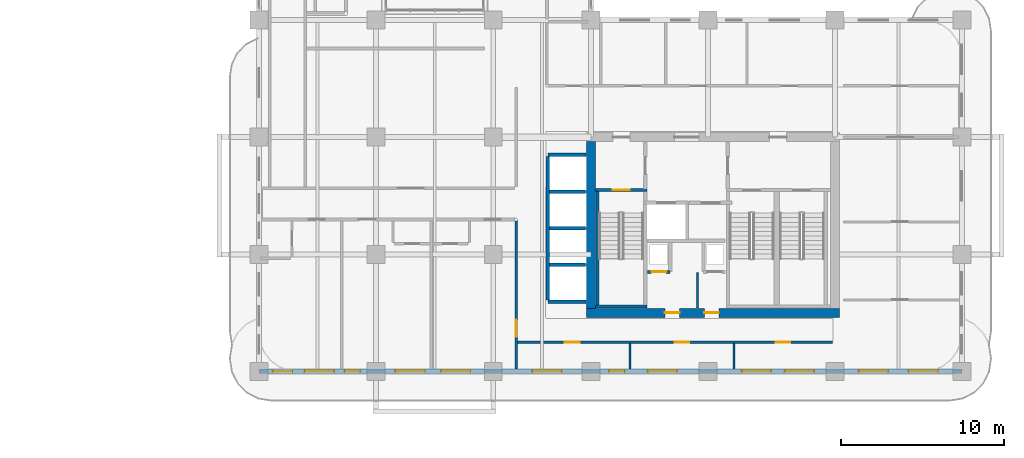
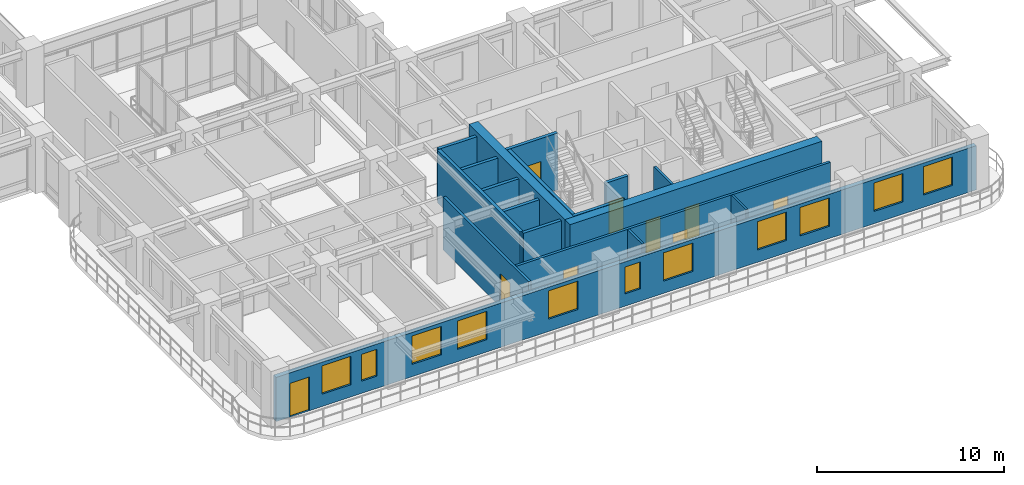
# One storey, part 13 of 22: 18 walls, 11 windows, 9 doors, 20 openings.
"""IFC4 building model written with IfcOpenShell, lengths in metres."""

from ifc_helpers import new_model, si_unit, derived_unit, direction, frame, frame_2d, origin, place, context, subcontext, project, spatial, rectangle, extrude, source, transform, mapped, material, layer, layer_set, type_object, type_shapes, element, fill, save


model = new_model("IFC4")

# Units and contexts
model_context = context("Model", 3, precision=1e-05, world=origin(), true_north=direction((0.0, 1.0)))
body_context = subcontext(model_context, "Body", "Model", "MODEL_VIEW")
ifc_project = project(units=[si_unit("LENGTHUNIT", "METRE"), si_unit("AREAUNIT", "SQUARE_METRE"), si_unit("VOLUMEUNIT", "CUBIC_METRE"), si_unit("PLANEANGLEUNIT", "RADIAN"), si_unit("MASSUNIT", "GRAM", prefix="KILO"), si_unit("THERMODYNAMICTEMPERATUREUNIT", "KELVIN"), si_unit("POWERUNIT", "WATT"), derived_unit("THERMALTRANSMITTANCEUNIT", [(si_unit("POWERUNIT", "WATT"), 1), (si_unit("AREAUNIT", "SQUARE_METRE"), -1), (si_unit("THERMODYNAMICTEMPERATUREUNIT", "KELVIN"), -1)])], contexts=[model_context])

# Site, building, storey
site_placement = place(None, origin())
site = spatial("IfcSite", under=ifc_project, at=site_placement, CompositionType="ELEMENT")
building_placement = place(site_placement, origin())
building = spatial("IfcBuilding", under=site, at=building_placement, Name="Zahravan Archway Hotel and Residences", CompositionType="ELEMENT")
storey_placement = place(building_placement, frame((0.0, 0.0, 73.10009765625)))
storey = spatial("IfcBuildingStorey", under=building, at=storey_placement, Name="L17", CompositionType="ELEMENT", Elevation=73.10009765625)

# Wall, openings, doors
ifc_material_1 = material(Name="Concrete C70/85", Category="concrete")
ifc_layer_1 = layer(ifc_material_1, 0.550048828125, Name="Concrete C70/85", Category="concrete")
ifc_layer_set_1 = layer_set([ifc_layer_1], Name="Concrete C70/85")
wall_type_1 = type_object("IfcWallType", Name="CW-CORE-550", PredefinedType="SHEAR", material=ifc_layer_set_1)
wall_1_placement = place(storey_placement, frame((34.52490234375, 3.60009765625, 0.0), z_axis=(0.0, 0.0, 1.0), x_axis=(1.0, 0.0, 0.0)))
wall_1 = element("IfcWall", 1, at=wall_1_placement, inside=storey, type_object=wall_type_1, Name="L17 Core A Shear S Wall 550 mm", PredefinedType="SHEAR", context=body_context, shape_type="SweptSolid", body=[
    extrude(rectangle(XDim=15.550048828125, YDim=0.550048828125, at=frame_2d((7.77490234375, 0.0))), origin(), (0.0, 0.0, 1.0), 3.699951171875),
])
opening_1_placement = place(wall_1_placement, frame((4.824951171875, 0.0, 0.0)))
opening_1 = element("IfcOpeningElement", 2, at=opening_1_placement, cuts=wall_1, Name="Opening FD-R1", PredefinedType="OPENING", context=body_context, shape_type="SweptSolid", body=[
    extrude(rectangle(XDim=0.89990234375, YDim=2.10009765625, at=frame_2d((0.449951171875, 1.050048828125))), frame((0.0, 0.28515625, 0.0), z_axis=(0.0, -1.0, 0.0), x_axis=(1.0, 0.0, 0.0)), (0.0, 0.0, 1.0), 0.570068359375),
])
opening_2_placement = place(wall_1_placement, frame((7.2451171875, 0.0, 0.0)))
opening_2 = element("IfcOpeningElement", 3, at=opening_2_placement, cuts=wall_1, Name="Opening FD-R1", PredefinedType="OPENING", context=body_context, shape_type="SweptSolid", body=[
    extrude(rectangle(XDim=0.89990234375, YDim=2.10009765625, at=frame_2d((0.449951171875, 1.050048828125))), frame((0.0, 0.28515625, 0.0), z_axis=(0.0, -1.0, 0.0), x_axis=(1.0, 0.0, 0.0)), (0.0, 0.0, 1.0), 0.570068359375),
])
ifc_material_2 = material(Name="Fire-Rated Painted Steel", Category="steel")
door_type_1 = type_object("IfcDoorType", Name="FD-RISER-900", OperationType="NOTDEFINED", PredefinedType="DOOR", material=ifc_material_2)
shared_shape_1 = source(origin(), body_context, "Body", "SweptSolid", [
    extrude(rectangle(XDim=0.89990234375, YDim=2.10009765625, at=frame_2d((0.449951171875, 1.050048828125))), frame((0.0, 0.02490234375, 0.0), z_axis=(0.0, -1.0, 0.0), x_axis=(1.0, 0.0, 0.0)), (0.0, 0.0, 1.0), 0.050048828125),
])
type_shapes(door_type_1, [shared_shape_1])
door_1_placement = place(opening_1_placement, origin())
door_1 = element("IfcDoor", 4, at=door_1_placement, inside=storey, type_object=door_type_1, Name="L17 Service Pantry Door", OperationType="SINGLE_SWING_RIGHT", OverallHeight=2.10009765625, OverallWidth=0.89990234375, PredefinedType="DOOR", context=body_context, shape_type="MappedRepresentation", body=[
    mapped(shared_shape_1, transform((0.0, 0.0, 0.0), scale=1.0)),
])
fill(opening_1, door_1)
door_2_placement = place(opening_2_placement, origin())
door_2 = element("IfcDoor", 5, at=door_2_placement, inside=storey, type_object=door_type_1, Name="L17 Fibre ELV Riser Door", OperationType="SINGLE_SWING_LEFT", OverallHeight=2.10009765625, OverallWidth=0.89990234375, PredefinedType="DOOR", context=body_context, shape_type="MappedRepresentation", body=[
    mapped(shared_shape_1, transform((0.0, 0.0, 0.0), scale=1.0)),
])
fill(opening_2, door_2)

# Wall
wall_2_placement = place(storey_placement, frame((34.800048828125, 3.875, 0.0), z_axis=(0.0, 0.0, 1.0), x_axis=(0.0, 1.0, 0.0)))
element("IfcWall", 6, at=wall_2_placement, inside=storey, type_object=wall_type_1, Name="L17 Core A Shear W Wall 550 mm", PredefinedType="SHEAR", context=body_context, shape_type="SweptSolid", body=[
    extrude(rectangle(XDim=10.25, YDim=0.550048828125, at=frame_2d((5.125, 0.0))), origin(), (0.0, 0.0, 1.0), 3.699951171875),
])

# Wall, openings, door, windows
ifc_material_3 = material(Name="Honed Red-Ochre Sandstone & Insulated Block", Category="masonry")
ifc_layer_2 = layer(ifc_material_3, 0.280029296875, Name="Honed Red-Ochre Sandstone & Insulated Block", Category="masonry")
ifc_layer_set_2 = layer_set([ifc_layer_2], Name="Honed Red-Ochre Sandstone & Insulated Block")
wall_type_2 = type_object("IfcWallType", Name="EW-LOG-280", PredefinedType="SOLIDWALL", material=ifc_layer_set_2)
wall_3_placement = place(storey_placement, frame((14.39990234375, 0.0, 0.0), z_axis=(0.0, 0.0, 1.0), x_axis=(1.0, 0.0, 0.0)))
wall_3 = element("IfcWall", 7, at=wall_3_placement, inside=storey, type_object=wall_type_2, Name="L17 Exterior Sandstone Wall WA-S", PredefinedType="SOLIDWALL", context=body_context, shape_type="SweptSolid", body=[
    extrude(rectangle(XDim=43.2001953125, YDim=0.280029296875, at=frame_2d((21.60009765625, 0.0))), origin(), (0.0, 0.0, 1.0), 2.885009765625),
])
opening_3_placement = place(wall_3_placement, frame((0.85009765625, 0.0, 0.0)))
opening_3 = element("IfcOpeningElement", 8, at=opening_3_placement, cuts=wall_3, Name="Opening ED-BL1", PredefinedType="OPENING", context=body_context, shape_type="SweptSolid", body=[
    extrude(rectangle(XDim=1.199951171875, YDim=2.199951171875, at=frame_2d((0.60009765625, 1.10009765625))), frame((0.0, 0.14990234375, 0.0), z_axis=(0.0, -1.0, 0.0), x_axis=(1.0, 0.0, 0.0)), (0.0, 0.0, 1.0), 0.300048828125),
])
opening_4_placement = place(wall_3_placement, frame((2.81103515625, 0.0, 0.800048828125)))
opening_4 = element("IfcOpeningElement", 9, at=opening_4_placement, cuts=wall_3, Name="Opening W-02", PredefinedType="OPENING", context=body_context, shape_type="SweptSolid", body=[
    extrude(rectangle(XDim=1.800048828125, YDim=1.85009765625, at=frame_2d((0.89990234375, 0.925048828125))), frame((0.0, 0.14990234375, 0.0), z_axis=(0.0, -1.0, 0.0), x_axis=(1.0, 0.0, 0.0)), (0.0, 0.0, 1.0), 0.300048828125),
])
opening_5_placement = place(wall_3_placement, frame((5.26904296875, 0.0, 0.800048828125)))
opening_5 = element("IfcOpeningElement", 10, at=opening_5_placement, cuts=wall_3, Name="Opening W-04", PredefinedType="OPENING", context=body_context, shape_type="SweptSolid", body=[
    extrude(rectangle(XDim=0.949951171875, YDim=1.75, at=frame_2d((0.47509765625, 0.875))), frame((0.0, 0.14990234375, 0.0), z_axis=(0.0, -1.0, 0.0), x_axis=(1.0, 0.0, 0.0)), (0.0, 0.0, 1.0), 0.300048828125),
])
opening_6_placement = place(wall_3_placement, frame((8.388916015625, 0.0, 0.800048828125)))
opening_6 = element("IfcOpeningElement", 11, at=opening_6_placement, cuts=wall_3, Name="Opening W-02", PredefinedType="OPENING", context=body_context, shape_type="SweptSolid", body=[
    extrude(rectangle(XDim=1.800048828125, YDim=1.85009765625, at=frame_2d((0.89990234375, 0.925048828125))), frame((0.0, 0.14990234375, 0.0), z_axis=(0.0, -1.0, 0.0), x_axis=(1.0, 0.0, 0.0)), (0.0, 0.0, 1.0), 0.300048828125),
])
opening_7_placement = place(wall_3_placement, frame((11.197021484375, 0.0, 0.800048828125)))
opening_7 = element("IfcOpeningElement", 12, at=opening_7_placement, cuts=wall_3, Name="Opening W-02", PredefinedType="OPENING", context=body_context, shape_type="SweptSolid", body=[
    extrude(rectangle(XDim=1.800048828125, YDim=1.85009765625, at=frame_2d((0.89990234375, 0.925048828125))), frame((0.0, 0.14990234375, 0.0), z_axis=(0.0, -1.0, 0.0), x_axis=(1.0, 0.0, 0.0)), (0.0, 0.0, 1.0), 0.300048828125),
])
opening_8_placement = place(wall_3_placement, frame((16.803955078125, 0.0, 0.800048828125)))
opening_8 = element("IfcOpeningElement", 13, at=opening_8_placement, cuts=wall_3, Name="Opening W-02", PredefinedType="OPENING", context=body_context, shape_type="SweptSolid", body=[
    extrude(rectangle(XDim=1.800048828125, YDim=1.85009765625, at=frame_2d((0.89990234375, 0.925048828125))), frame((0.0, 0.14990234375, 0.0), z_axis=(0.0, -1.0, 0.0), x_axis=(1.0, 0.0, 0.0)), (0.0, 0.0, 1.0), 0.300048828125),
])
opening_9_placement = place(wall_3_placement, frame((21.52099609375, 0.0, 0.800048828125)))
opening_9 = element("IfcOpeningElement", 14, at=opening_9_placement, cuts=wall_3, Name="Opening W-04", PredefinedType="OPENING", context=body_context, shape_type="SweptSolid", body=[
    extrude(rectangle(XDim=0.949951171875, YDim=1.75, at=frame_2d((0.47509765625, 0.875))), frame((0.0, 0.14990234375, 0.0), z_axis=(0.0, -1.0, 0.0), x_axis=(1.0, 0.0, 0.0)), (0.0, 0.0, 1.0), 0.300048828125),
])
opening_10_placement = place(wall_3_placement, frame((23.904052734375, 0.0, 0.800048828125)))
opening_10 = element("IfcOpeningElement", 15, at=opening_10_placement, cuts=wall_3, Name="Opening W-02", PredefinedType="OPENING", context=body_context, shape_type="SweptSolid", body=[
    extrude(rectangle(XDim=1.800048828125, YDim=1.85009765625, at=frame_2d((0.89990234375, 0.925048828125))), frame((0.0, 0.14990234375, 0.0), z_axis=(0.0, -1.0, 0.0), x_axis=(1.0, 0.0, 0.0)), (0.0, 0.0, 1.0), 0.300048828125),
])
opening_11_placement = place(wall_3_placement, frame((29.680908203125, 0.0, 0.800048828125)))
opening_11 = element("IfcOpeningElement", 16, at=opening_11_placement, cuts=wall_3, Name="Opening W-02", PredefinedType="OPENING", context=body_context, shape_type="SweptSolid", body=[
    extrude(rectangle(XDim=1.800048828125, YDim=1.85009765625, at=frame_2d((0.89990234375, 0.925048828125))), frame((0.0, 0.14990234375, 0.0), z_axis=(0.0, -1.0, 0.0), x_axis=(1.0, 0.0, 0.0)), (0.0, 0.0, 1.0), 0.300048828125),
])
opening_12_placement = place(wall_3_placement, frame((32.326904296875, 0.0, 0.800048828125)))
opening_12 = element("IfcOpeningElement", 17, at=opening_12_placement, cuts=wall_3, Name="Opening W-02", PredefinedType="OPENING", context=body_context, shape_type="SweptSolid", body=[
    extrude(rectangle(XDim=1.800048828125, YDim=1.85009765625, at=frame_2d((0.89990234375, 0.925048828125))), frame((0.0, 0.14990234375, 0.0), z_axis=(0.0, -1.0, 0.0), x_axis=(1.0, 0.0, 0.0)), (0.0, 0.0, 1.0), 0.300048828125),
])
opening_13_placement = place(wall_3_placement, frame((36.875, 0.0, 0.800048828125)))
opening_13 = element("IfcOpeningElement", 18, at=opening_13_placement, cuts=wall_3, Name="Opening W-02", PredefinedType="OPENING", context=body_context, shape_type="SweptSolid", body=[
    extrude(rectangle(XDim=1.800048828125, YDim=1.85009765625, at=frame_2d((0.89990234375, 0.925048828125))), frame((0.0, 0.14990234375, 0.0), z_axis=(0.0, -1.0, 0.0), x_axis=(1.0, 0.0, 0.0)), (0.0, 0.0, 1.0), 0.300048828125),
])
opening_14_placement = place(wall_3_placement, frame((39.925048828125, 0.0, 0.800048828125)))
opening_14 = element("IfcOpeningElement", 19, at=opening_14_placement, cuts=wall_3, Name="Opening W-02", PredefinedType="OPENING", context=body_context, shape_type="SweptSolid", body=[
    extrude(rectangle(XDim=1.800048828125, YDim=1.85009765625, at=frame_2d((0.89990234375, 0.925048828125))), frame((0.0, 0.14990234375, 0.0), z_axis=(0.0, -1.0, 0.0), x_axis=(1.0, 0.0, 0.0)), (0.0, 0.0, 1.0), 0.300048828125),
])
ifc_material_4 = material(Name="Bronze-Anodized Glazed Aluminium", Category="aluminium")
door_type_2 = type_object("IfcDoorType", Name="ED-BALC-1200", OperationType="SLIDING_TO_LEFT", PredefinedType="DOOR", material=ifc_material_4)
shared_shape_2 = source(origin(), body_context, "Body", "SweptSolid", [
    extrude(rectangle(XDim=1.199951171875, YDim=2.199951171875, at=frame_2d((0.60009765625, 1.10009765625))), frame((0.0, 0.02490234375, 0.0), z_axis=(0.0, -1.0, 0.0), x_axis=(1.0, 0.0, 0.0)), (0.0, 0.0, 1.0), 0.050048828125),
])
type_shapes(door_type_2, [shared_shape_2])
door_3_placement = place(opening_3_placement, origin())
door_3 = element("IfcDoor", 20, at=door_3_placement, inside=storey, type_object=door_type_2, Name="L17 Outdoor Access Sliding Door (SLB-BAL-L17-SA)", OperationType="SLIDING_TO_LEFT", OverallHeight=2.199951171875, OverallWidth=1.199951171875, PredefinedType="DOOR", context=body_context, shape_type="MappedRepresentation", body=[
    mapped(shared_shape_2, transform((0.0, 0.0, 0.0), scale=1.0)),
])
fill(opening_3, door_3)
ifc_material_5 = material(Name="Bronze-Anodized Thermal-Break Aluminium & Low-E Glass", Category="aluminium")
window_type_1 = type_object("IfcWindowType", Name="WIN-NAR-950", PartitioningType="SINGLE_PANEL", PredefinedType="WINDOW", material=ifc_material_5)
shared_shape_3 = source(origin(), body_context, "Body", "SweptSolid", [
    extrude(rectangle(XDim=0.949951171875, YDim=1.75, at=frame_2d((0.47509765625, 0.875))), frame((0.0, 0.030029296875, 0.0), z_axis=(0.0, -1.0, 0.0), x_axis=(1.0, 0.0, 0.0)), (0.0, 0.0, 1.0), 0.06005859375),
])
type_shapes(window_type_1, [shared_shape_3])
window_1_placement = place(opening_5_placement, origin())
window_1 = element("IfcWindow", 21, at=window_1_placement, inside=storey, type_object=window_type_1, Name="L17 Loggia Window 02", OverallHeight=1.75, OverallWidth=0.949951171875, PartitioningType="SINGLE_PANEL", PredefinedType="WINDOW", context=body_context, shape_type="MappedRepresentation", body=[
    mapped(shared_shape_3, transform((0.0, 0.0, 0.0), scale=1.0)),
])
fill(opening_5, window_1)
window_2_placement = place(opening_9_placement, origin())
window_2 = element("IfcWindow", 22, at=window_2_placement, inside=storey, type_object=window_type_1, Name="L17 Loggia Window 06", OverallHeight=1.75, OverallWidth=0.949951171875, PartitioningType="SINGLE_PANEL", PredefinedType="WINDOW", context=body_context, shape_type="MappedRepresentation", body=[
    mapped(shared_shape_3, transform((0.0, 0.0, 0.0), scale=1.0)),
])
fill(opening_9, window_2)
window_type_2 = type_object("IfcWindowType", Name="WIN-TWR-1800", PartitioningType="DOUBLE_PANEL_VERTICAL", PredefinedType="WINDOW", material=ifc_material_5)
shared_shape_4 = source(origin(), body_context, "Body", "SweptSolid", [
    extrude(rectangle(XDim=1.800048828125, YDim=1.85009765625, at=frame_2d((0.89990234375, 0.925048828125))), frame((0.0, 0.030029296875, 0.0), z_axis=(0.0, -1.0, 0.0), x_axis=(1.0, 0.0, 0.0)), (0.0, 0.0, 1.0), 0.06005859375),
])
type_shapes(window_type_2, [shared_shape_4])
window_3_placement = place(opening_4_placement, origin())
window_3 = element("IfcWindow", 23, at=window_3_placement, inside=storey, type_object=window_type_2, Name="L17 Loggia Window 01", OverallHeight=1.85009765625, OverallWidth=1.800048828125, PartitioningType="DOUBLE_PANEL_VERTICAL", PredefinedType="WINDOW", context=body_context, shape_type="MappedRepresentation", body=[
    mapped(shared_shape_4, transform((0.0, 0.0, 0.0), scale=1.0)),
])
fill(opening_4, window_3)
window_4_placement = place(opening_6_placement, origin())
window_4 = element("IfcWindow", 24, at=window_4_placement, inside=storey, type_object=window_type_2, Name="L17 Loggia Window 03", OverallHeight=1.85009765625, OverallWidth=1.800048828125, PartitioningType="DOUBLE_PANEL_VERTICAL", PredefinedType="WINDOW", context=body_context, shape_type="MappedRepresentation", body=[
    mapped(shared_shape_4, transform((0.0, 0.0, 0.0), scale=1.0)),
])
fill(opening_6, window_4)
window_5_placement = place(opening_7_placement, origin())
window_5 = element("IfcWindow", 25, at=window_5_placement, inside=storey, type_object=window_type_2, Name="L17 Loggia Window 04", OverallHeight=1.85009765625, OverallWidth=1.800048828125, PartitioningType="DOUBLE_PANEL_VERTICAL", PredefinedType="WINDOW", context=body_context, shape_type="MappedRepresentation", body=[
    mapped(shared_shape_4, transform((0.0, 0.0, 0.0), scale=1.0)),
])
fill(opening_7, window_5)
window_6_placement = place(opening_8_placement, origin())
window_6 = element("IfcWindow", 26, at=window_6_placement, inside=storey, type_object=window_type_2, Name="L17 Loggia Window 05", OverallHeight=1.85009765625, OverallWidth=1.800048828125, PartitioningType="DOUBLE_PANEL_VERTICAL", PredefinedType="WINDOW", context=body_context, shape_type="MappedRepresentation", body=[
    mapped(shared_shape_4, transform((0.0, 0.0, 0.0), scale=1.0)),
])
fill(opening_8, window_6)
window_7_placement = place(opening_10_placement, origin())
window_7 = element("IfcWindow", 27, at=window_7_placement, inside=storey, type_object=window_type_2, Name="L17 Loggia Window 07", OverallHeight=1.85009765625, OverallWidth=1.800048828125, PartitioningType="DOUBLE_PANEL_VERTICAL", PredefinedType="WINDOW", context=body_context, shape_type="MappedRepresentation", body=[
    mapped(shared_shape_4, transform((0.0, 0.0, 0.0), scale=1.0)),
])
fill(opening_10, window_7)
window_8_placement = place(opening_11_placement, origin())
window_8 = element("IfcWindow", 28, at=window_8_placement, inside=storey, type_object=window_type_2, Name="L17 Loggia Window 08", OverallHeight=1.85009765625, OverallWidth=1.800048828125, PartitioningType="DOUBLE_PANEL_VERTICAL", PredefinedType="WINDOW", context=body_context, shape_type="MappedRepresentation", body=[
    mapped(shared_shape_4, transform((0.0, 0.0, 0.0), scale=1.0)),
])
fill(opening_11, window_8)
window_9_placement = place(opening_12_placement, origin())
window_9 = element("IfcWindow", 29, at=window_9_placement, inside=storey, type_object=window_type_2, Name="L17 Loggia Window 09", OverallHeight=1.85009765625, OverallWidth=1.800048828125, PartitioningType="DOUBLE_PANEL_VERTICAL", PredefinedType="WINDOW", context=body_context, shape_type="MappedRepresentation", body=[
    mapped(shared_shape_4, transform((0.0, 0.0, 0.0), scale=1.0)),
])
fill(opening_12, window_9)
window_10_placement = place(opening_13_placement, origin())
window_10 = element("IfcWindow", 30, at=window_10_placement, inside=storey, type_object=window_type_2, Name="L17 Loggia Window 10", OverallHeight=1.85009765625, OverallWidth=1.800048828125, PartitioningType="DOUBLE_PANEL_VERTICAL", PredefinedType="WINDOW", context=body_context, shape_type="MappedRepresentation", body=[
    mapped(shared_shape_4, transform((0.0, 0.0, 0.0), scale=1.0)),
])
fill(opening_13, window_10)
window_11_placement = place(opening_14_placement, origin())
window_11 = element("IfcWindow", 31, at=window_11_placement, inside=storey, type_object=window_type_2, Name="L17 Loggia Window 11", OverallHeight=1.85009765625, OverallWidth=1.800048828125, PartitioningType="DOUBLE_PANEL_VERTICAL", PredefinedType="WINDOW", context=body_context, shape_type="MappedRepresentation", body=[
    mapped(shared_shape_4, transform((0.0, 0.0, 0.0), scale=1.0)),
])
fill(opening_14, window_11)

# Wall, opening, door
ifc_material_6 = material(Name="Fire-Rated Gypsum & Concrete Block", Category="concrete")
ifc_layer_3 = layer(ifc_material_6, 0.159912109375, Name="Fire-Rated Gypsum & Concrete Block", Category="concrete")
ifc_layer_set_3 = layer_set([ifc_layer_3], Name="Fire-Rated Gypsum & Concrete Block")
wall_type_3 = type_object("IfcWallType", Name="PW-CORR-160", PredefinedType="PARTITIONING", material=ifc_layer_set_3)
wall_4_placement = place(storey_placement, frame((30.199951171875, 0.14794921875, 0.0), z_axis=(0.0, 0.0, 1.0), x_axis=(0.0, 1.0, 0.0)))
wall_4 = element("IfcWall", 32, at=wall_4_placement, inside=storey, type_object=wall_type_3, Name="L17 Partition WA-SRW", PredefinedType="PARTITIONING", context=body_context, shape_type="SweptSolid", body=[
    extrude(rectangle(XDim=9.112060546875, YDim=0.159912109375, at=frame_2d((4.55615234375, 0.0))), origin(), (0.0, 0.0, 1.0), 3.449951171875),
])
opening_15_placement = place(wall_4_placement, frame((1.97705078125, 0.0, 0.0)))
opening_15 = element("IfcOpeningElement", 33, at=opening_15_placement, cuts=wall_4, Name="Opening FD-L2", PredefinedType="OPENING", context=body_context, shape_type="SweptSolid", body=[
    extrude(rectangle(XDim=1.050048828125, YDim=2.14990234375, at=frame_2d((0.52490234375, 1.074951171875))), frame((0.0, 0.08984375, 0.0), z_axis=(0.0, -1.0, 0.0), x_axis=(1.0, 0.0, 0.0)), (0.0, 0.0, 1.0), 0.179931640625),
])
door_type_3 = type_object("IfcDoorType", Name="FD-LOBBY-1100", OperationType="NOTDEFINED", PredefinedType="DOOR", material=ifc_material_2)
shared_shape_5 = source(origin(), body_context, "Body", "SweptSolid", [
    extrude(rectangle(XDim=1.050048828125, YDim=2.14990234375, at=frame_2d((0.52490234375, 1.074951171875))), frame((0.0, 0.02490234375, 0.0), z_axis=(0.0, -1.0, 0.0), x_axis=(1.0, 0.0, 0.0)), (0.0, 0.0, 1.0), 0.050048828125),
])
type_shapes(door_type_3, [shared_shape_5])
door_4_placement = place(opening_15_placement, origin())
door_4 = element("IfcDoor", 34, at=door_4_placement, inside=storey, type_object=door_type_3, Name="L17 South Riser Corridor Door", OperationType="SINGLE_SWING_LEFT", OverallHeight=2.14990234375, OverallWidth=1.050048828125, PredefinedType="DOOR", context=body_context, shape_type="MappedRepresentation", body=[
    mapped(shared_shape_5, transform((0.0, 0.0, 0.0), scale=1.0)),
])
fill(opening_15, door_4)

# Wall, openings, doors
wall_5_placement = place(storey_placement, frame((30.2900390625, 1.800048828125, 0.0), z_axis=(0.0, 0.0, 1.0), x_axis=(1.0, 0.0, 0.0)))
wall_5 = element("IfcWall", 35, at=wall_5_placement, inside=storey, type_object=wall_type_3, Name="L17 Partition WA-SRS", PredefinedType="PARTITIONING", context=body_context, shape_type="SweptSolid", body=[
    extrude(rectangle(XDim=19.369873046875, YDim=0.159912109375, at=frame_2d((9.68505859375, 0.0))), origin(), (0.0, 0.0, 1.0), 3.449951171875),
])
opening_16_placement = place(wall_5_placement, frame((2.916259765625, 0.0, 0.0)))
opening_16 = element("IfcOpeningElement", 36, at=opening_16_placement, cuts=wall_5, Name="Opening D-I2", PredefinedType="OPENING", context=body_context, shape_type="SweptSolid", body=[
    extrude(rectangle(XDim=0.89990234375, YDim=2.14990234375, at=frame_2d((0.449951171875, 1.074951171875))), frame((0.0, 0.08984375, 0.0), z_axis=(0.0, -1.0, 0.0), x_axis=(1.0, 0.0, 0.0)), (0.0, 0.0, 1.0), 0.179931640625),
])
opening_17_placement = place(wall_5_placement, frame((9.659912109375, 0.0, 0.0)))
opening_17 = element("IfcOpeningElement", 37, at=opening_17_placement, cuts=wall_5, Name="Opening D-I2", PredefinedType="OPENING", context=body_context, shape_type="SweptSolid", body=[
    extrude(rectangle(XDim=0.89990234375, YDim=2.14990234375, at=frame_2d((0.449951171875, 1.074951171875))), frame((0.0, 0.08984375, 0.0), z_axis=(0.0, -1.0, 0.0), x_axis=(1.0, 0.0, 0.0)), (0.0, 0.0, 1.0), 0.179931640625),
])
opening_18_placement = place(wall_5_placement, frame((15.860107421875, 0.0, 0.0)))
opening_18 = element("IfcOpeningElement", 38, at=opening_18_placement, cuts=wall_5, Name="Opening D-I2", PredefinedType="OPENING", context=body_context, shape_type="SweptSolid", body=[
    extrude(rectangle(XDim=0.89990234375, YDim=2.14990234375, at=frame_2d((0.449951171875, 1.074951171875))), frame((0.0, 0.08984375, 0.0), z_axis=(0.0, -1.0, 0.0), x_axis=(1.0, 0.0, 0.0)), (0.0, 0.0, 1.0), 0.179931640625),
])
ifc_material_7 = material(Name="Hardwood Veneer Timber", Category="wood")
door_type_4 = type_object("IfcDoorType", Name="ID-INT-900", OperationType="NOTDEFINED", PredefinedType="DOOR", material=ifc_material_7)
shared_shape_6 = source(origin(), body_context, "Body", "SweptSolid", [
    extrude(rectangle(XDim=0.89990234375, YDim=2.14990234375, at=frame_2d((0.449951171875, 1.074951171875))), frame((0.0, 0.02490234375, 0.0), z_axis=(0.0, -1.0, 0.0), x_axis=(1.0, 0.0, 0.0)), (0.0, 0.0, 1.0), 0.050048828125),
])
type_shapes(door_type_4, [shared_shape_6])
door_5_placement = place(opening_16_placement, origin())
door_5 = element("IfcDoor", 39, at=door_5_placement, inside=storey, type_object=door_type_4, Name="L17 South Office Door", OperationType="SINGLE_SWING_RIGHT", OverallHeight=2.14990234375, OverallWidth=0.89990234375, PredefinedType="DOOR", context=body_context, shape_type="MappedRepresentation", body=[
    mapped(shared_shape_6, transform((0.0, 0.0, 0.0), scale=1.0)),
])
fill(opening_16, door_5)
door_6_placement = place(opening_17_placement, origin())
door_6 = element("IfcDoor", 40, at=door_6_placement, inside=storey, type_object=door_type_4, Name="L17 South Meeting Door", OperationType="SINGLE_SWING_LEFT", OverallHeight=2.14990234375, OverallWidth=0.89990234375, PredefinedType="DOOR", context=body_context, shape_type="MappedRepresentation", body=[
    mapped(shared_shape_6, transform((0.0, 0.0, 0.0), scale=1.0)),
])
fill(opening_17, door_6)
door_7_placement = place(opening_18_placement, origin())
door_7 = element("IfcDoor", 41, at=door_7_placement, inside=storey, type_object=door_type_4, Name="L17 South Prayer Alcove Door", OperationType="SINGLE_SWING_RIGHT", OverallHeight=2.14990234375, OverallWidth=0.89990234375, PredefinedType="DOOR", context=body_context, shape_type="MappedRepresentation", body=[
    mapped(shared_shape_6, transform((0.0, 0.0, 0.0), scale=1.0)),
])
fill(opening_18, door_7)

# Walls
ifc_material_8 = material(Name="Acoustic Stud Partition")
ifc_layer_4 = layer(ifc_material_8, 0.125, Name="Acoustic Stud Partition")
ifc_layer_set_4 = layer_set([ifc_layer_4], Name="Acoustic Stud Partition")
wall_type_4 = type_object("IfcWallType", Name="PW-INT-125", PredefinedType="PARTITIONING", material=ifc_layer_set_4)
for number, where, z_axis, x_axis, name in (
    (42, (37.199951171875, 0.14794921875, 0.0), (0.0, 0.0, 1.0), (0.0, 1.0, 0.0), "L17 Partition S-DIV2A"),
    (43, (43.60009765625, 0.14794921875, 0.0), (0.0, 0.0, 1.0), (0.0, 1.0, 0.0), "L17 Partition S-DIV2B"),
):
    element("IfcWall", number, at=place(storey_placement, frame(where, z_axis=z_axis, x_axis=x_axis)), inside=storey, type_object=wall_type_4, Name=name, PredefinedType="PARTITIONING", context=body_context, shape_type="SweptSolid", body=[
        extrude(rectangle(XDim=1.56201171875, YDim=0.125, at=frame_2d((0.781005859375, 0.0))), origin(), (0.0, 0.0, 1.0), 3.449951171875),
    ])

# Wall, opening, door
ifc_layer_5 = layer(ifc_material_6, 0.199951171875, Name="Fire-Rated Gypsum & Concrete Block", Category="concrete")
ifc_layer_set_5 = layer_set([ifc_layer_5], Name="Fire-Rated Gypsum & Concrete Block")
wall_type_5 = type_object("IfcWallType", Name="PW-SHAFT-200", PredefinedType="PARTITIONING", material=ifc_layer_set_5)
wall_6_placement = place(storey_placement, frame((38.2900390625, 6.1201171875, 0.0), z_axis=(0.0, 0.0, 1.0), x_axis=(1.0, 0.0, 0.0)))
wall_6 = element("IfcWall", 44, at=wall_6_placement, inside=storey, type_object=wall_type_5, Name="L17 Partition CA-SMKS", PredefinedType="PARTITIONING", context=body_context, shape_type="SweptSolid", body=[
    extrude(rectangle(XDim=1.3798828125, YDim=0.199951171875, at=frame_2d((0.68994140625, 0.0))), origin(), (0.0, 0.0, 1.0), 3.449951171875),
])
opening_19_placement = place(wall_6_placement, frame((0.239990234375, 0.0, 0.0)))
opening_19 = element("IfcOpeningElement", 45, at=opening_19_placement, cuts=wall_6, Name="Opening FD-R1", PredefinedType="OPENING", context=body_context, shape_type="SweptSolid", body=[
    extrude(rectangle(XDim=0.89990234375, YDim=2.10009765625, at=frame_2d((0.449951171875, 1.050048828125))), frame((0.0, 0.10986328125, 0.0), z_axis=(0.0, -1.0, 0.0), x_axis=(1.0, 0.0, 0.0)), (0.0, 0.0, 1.0), 0.219970703125),
])
door_8_placement = place(opening_19_placement, origin())
door_8 = element("IfcDoor", 46, at=door_8_placement, inside=storey, type_object=door_type_1, Name="L17 Smoke Riser Access Door", OperationType="SINGLE_SWING_RIGHT", OverallHeight=2.10009765625, OverallWidth=0.89990234375, PredefinedType="DOOR", context=body_context, shape_type="MappedRepresentation", body=[
    mapped(shared_shape_1, transform((0.0, 0.0, 0.0), scale=1.0)),
])
fill(opening_19, door_8)

# Walls
for number, where, z_axis, x_axis, name in (
    (47, (32.159912109375, 4.280029296875, 0.0), (0.0, 0.0, 1.0), (1.0, 0.0, 0.0), "L17 Partition B3-S"),
    (48, (32.159912109375, 13.320068359375, 0.0), (0.0, 0.0, 1.0), (1.0, 0.0, 0.0), "L17 Partition B3-N"),
):
    element("IfcWall", number, at=place(storey_placement, frame(where, z_axis=z_axis, x_axis=x_axis)), inside=storey, type_object=wall_type_5, Name=name, PredefinedType="PARTITIONING", context=body_context, shape_type="SweptSolid", body=[
        extrude(rectangle(XDim=2.335205078125, YDim=0.199951171875, at=frame_2d((1.16748046875, 0.0))), origin(), (0.0, 0.0, 1.0), 3.449951171875),
    ])
wall_7_placement = place(storey_placement, frame((32.14990234375, 4.389892578125, 0.0), z_axis=(0.0, 0.0, 1.0), x_axis=(0.0, 1.0, 0.0)))
element("IfcWall", 49, at=wall_7_placement, inside=storey, type_object=wall_type_5, Name="L17 Partition B3-W", PredefinedType="PARTITIONING", context=body_context, shape_type="SweptSolid", body=[
    extrude(rectangle(XDim=8.820068359375, YDim=0.199951171875, at=frame_2d((4.41015625, 0.0))), origin(), (0.0, 0.0, 1.0), 3.449951171875),
])
for number, where, z_axis, x_axis, name in (
    (50, (32.260009765625, 6.56005859375, 0.0), (0.0, 0.0, 1.0), (1.0, 0.0, 0.0), "L17 Partition B3-D"),
    (51, (32.260009765625, 8.800048828125, 0.0), (0.0, 0.0, 1.0), (1.0, 0.0, 0.0), "L17 Partition B3-D"),
    (52, (32.260009765625, 11.0400390625, 0.0), (0.0, 0.0, 1.0), (1.0, 0.0, 0.0), "L17 Partition B3-D"),
):
    element("IfcWall", number, at=place(storey_placement, frame(where, z_axis=z_axis, x_axis=x_axis)), inside=storey, type_object=wall_type_5, Name=name, PredefinedType="PARTITIONING", context=body_context, shape_type="SweptSolid", body=[
        extrude(rectangle(XDim=2.205078125, YDim=0.199951171875, at=frame_2d((1.1025390625, 0.0))), origin(), (0.0, 0.0, 1.0), 3.449951171875),
    ])
ifc_material_9 = material(Name="Moisture-Resistant Blockwork", Category="masonry")
ifc_layer_6 = layer(ifc_material_9, 0.139892578125, Name="Moisture-Resistant Blockwork", Category="masonry")
ifc_layer_set_6 = layer_set([ifc_layer_6], Name="Moisture-Resistant Blockwork")
wall_type_6 = type_object("IfcWallType", Name="PW-WET-140", PredefinedType="PARTITIONING", material=ifc_layer_set_6)
wall_8_placement = place(storey_placement, frame((41.35009765625, 3.89501953125, 0.0), z_axis=(0.0, 0.0, 1.0), x_axis=(0.0, 1.0, 0.0)))
element("IfcWall", 53, at=wall_8_placement, inside=storey, type_object=wall_type_6, Name="L17 Partition CA-CV3", PredefinedType="PARTITIONING", context=body_context, shape_type="SweptSolid", body=[
    extrude(rectangle(XDim=2.18505859375, YDim=0.139892578125, at=frame_2d((1.092529296875, 0.0))), origin(), (0.0, 0.0, 1.0), 3.449951171875),
])
ifc_material_10 = material(Name="Concrete C50/60", Category="concrete")
ifc_layer_7 = layer(ifc_material_10, 0.199951171875, Name="Concrete C50/60", Category="concrete")
ifc_layer_set_7 = layer_set([ifc_layer_7], Name="Concrete C50/60")
wall_type_7 = type_object("IfcWallType", Name="SW-STAIR-200", PredefinedType="SHEAR", material=ifc_layer_set_7)
wall_9_placement = place(storey_placement, frame((35.074951171875, 4.0, 0.0), z_axis=(0.0, 0.0, 1.0), x_axis=(1.0, 0.0, 0.0)))
element("IfcWall", 54, at=wall_9_placement, inside=storey, type_object=wall_type_7, Name="L17 Stairwell RC Wall CA-SA1S", PredefinedType="SHEAR", context=body_context, shape_type="SweptSolid", body=[
    extrude(rectangle(XDim=3.1650390625, YDim=0.199951171875, at=frame_2d((1.58251953125, 0.0))), origin(), (0.0, 0.0, 1.0), 3.699951171875),
])
wall_10_placement = place(storey_placement, frame((35.199951171875, 4.10009765625, 0.0), z_axis=(0.0, 0.0, 1.0), x_axis=(0.0, 1.0, 0.0)))
element("IfcWall", 55, at=wall_10_placement, inside=storey, type_object=wall_type_7, Name="L17 Stairwell RC Wall CA-SA1W", PredefinedType="SHEAR", context=body_context, shape_type="SweptSolid", body=[
    extrude(rectangle(XDim=6.949951171875, YDim=0.199951171875, at=frame_2d((3.47509765625, 0.0))), origin(), (0.0, 0.0, 1.0), 3.699951171875),
])

# Wall, opening, door
wall_11_placement = place(storey_placement, frame((35.074951171875, 11.14990234375, 0.0), z_axis=(0.0, 0.0, 1.0), x_axis=(1.0, 0.0, 0.0)))
wall_11 = element("IfcWall", 56, at=wall_11_placement, inside=storey, type_object=wall_type_7, Name="L17 Stairwell RC Wall CA-SA1N", PredefinedType="SHEAR", context=body_context, shape_type="SweptSolid", body=[
    extrude(rectangle(XDim=3.1650390625, YDim=0.199951171875, at=frame_2d((1.58251953125, 0.0))), origin(), (0.0, 0.0, 1.0), 3.699951171875),
])
opening_20_placement = place(wall_11_placement, frame((1.070068359375, 0.0, 0.0)))
opening_20 = element("IfcOpeningElement", 57, at=opening_20_placement, cuts=wall_11, Name="Opening FD-S1", PredefinedType="OPENING", context=body_context, shape_type="SweptSolid", body=[
    extrude(rectangle(XDim=1.050048828125, YDim=2.199951171875, at=frame_2d((0.52490234375, 1.10009765625))), frame((0.0, 0.10986328125, 0.0), z_axis=(0.0, -1.0, 0.0), x_axis=(1.0, 0.0, 0.0)), (0.0, 0.0, 1.0), 0.219970703125),
])
door_type_5 = type_object("IfcDoorType", Name="FD-STAIR-1100", OperationType="NOTDEFINED", PredefinedType="DOOR", material=ifc_material_2)
shared_shape_7 = source(origin(), body_context, "Body", "SweptSolid", [
    extrude(rectangle(XDim=1.050048828125, YDim=2.199951171875, at=frame_2d((0.52490234375, 1.10009765625))), frame((0.0, 0.02490234375, 0.0), z_axis=(0.0, -1.0, 0.0), x_axis=(1.0, 0.0, 0.0)), (0.0, 0.0, 1.0), 0.050048828125),
])
type_shapes(door_type_5, [shared_shape_7])
door_9_placement = place(opening_20_placement, origin())
door_9 = element("IfcDoor", 58, at=door_9_placement, inside=storey, type_object=door_type_5, Name="L17 Stair ST-A1 Door", OperationType="SINGLE_SWING_LEFT", OverallHeight=2.199951171875, OverallWidth=1.050048828125, PredefinedType="DOOR", context=body_context, shape_type="MappedRepresentation", body=[
    mapped(shared_shape_7, transform((0.0, 0.0, 0.0), scale=1.0)),
])
fill(opening_20, door_9)

save(model, "model.ifc")
